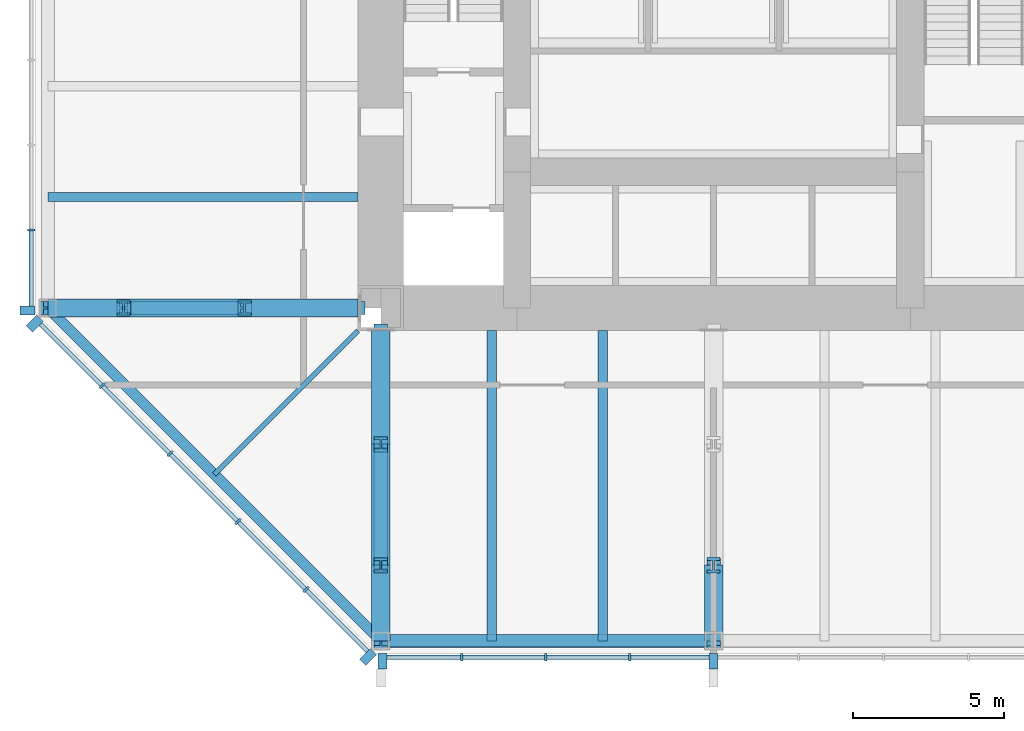
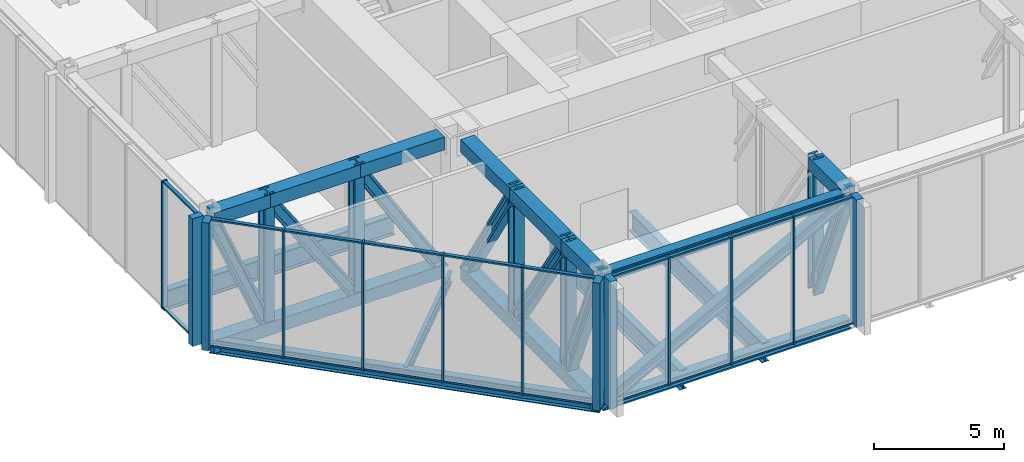
# One storey, part 2 of 11: 46 members, 16 beams, 3 elements without a shape of their own.
"""IFC4 building model written with IfcOpenShell, lengths in metres."""

from ifc_helpers import new_model, si_unit, direction, frame, origin, origin_2d, place, context, subcontext, project, spatial, rectangle, hollow_rectangle, i_section, extrude, material, material_profile, profile_set, type_object, element, aggregate, save


model = new_model("IFC4")

# Units and contexts
model_context = context("Model", 3, precision=1e-05, world=origin(), true_north=direction((0.0, 1.0)))
body_context = subcontext(model_context, "Body", "Model", "MODEL_VIEW")
ifc_project = project(units=[si_unit("LENGTHUNIT", "METRE"), si_unit("AREAUNIT", "SQUARE_METRE"), si_unit("VOLUMEUNIT", "CUBIC_METRE"), si_unit("PLANEANGLEUNIT", "RADIAN"), si_unit("MASSUNIT", "GRAM", prefix="KILO")], contexts=[model_context])

# Site, building, storey
site_placement = place(None, origin())
site = spatial("IfcSite", under=ifc_project, at=site_placement, CompositionType="ELEMENT")
building_placement = place(site_placement, origin())
building = spatial("IfcBuilding", under=site, at=building_placement, Name="Trevanion Tower", CompositionType="ELEMENT")
storey_placement = place(building_placement, frame((0.0, 0.0, 178.699951171875)))
storey = spatial("IfcBuildingStorey", under=building, at=storey_placement, Name="L42", CompositionType="ELEMENT", Elevation=178.699951171875)

# Beams
ifc_material_1 = material(Name="Steel ASTM A992 Grade 50", Category="steel")
ifc_material_profile_1 = material_profile(ifc_material_1, i_section(OverallWidth=0.1650390625, OverallDepth=0.52587890625, WebThickness=0.0087890625, FlangeThickness=0.011474609375, at=origin_2d()), Name="W21X44")
ifc_profile_set_1 = profile_set([ifc_material_profile_1], Name="Steel ASTM A992 Grade 50")
beam_type_1 = type_object("IfcBeamType", Name="B10 W21X44", PredefinedType="BEAM", material=ifc_profile_set_1)
beam_1_placement = place(storey_placement, frame((-11.75, -11.75, -0.452880859375), z_axis=(-0.707106781187, -0.707106781187, 0.0), x_axis=(0.707106781187, -0.707106781187, 0.0)))
element("IfcBeam", 1, at=beam_1_placement, inside=storey, type_object=beam_type_1, Name="B10 L42", PredefinedType="BEAM", context=body_context, shape_type="SweptSolid", body=[
    extrude(i_section(OverallWidth=0.1650390625, OverallDepth=0.52587890625, WebThickness=0.0087890625, FlangeThickness=0.011474609375, at=origin_2d()), origin(), (0.0, 0.0, 1.0), 6.717529296875),
])
ifc_material_2 = material(Name="Steel ASTM A992 Grade 50", Category="steel")
ifc_material_profile_2 = material_profile(ifc_material_2, i_section(OverallWidth=0.307373046875, OverallDepth=0.922119140625, WebThickness=0.018310546875, FlangeThickness=0.030029296875, at=origin_2d()), Name="W36X182")
ifc_profile_set_2 = profile_set([ifc_material_profile_2], Name="Steel ASTM A992 Grade 50")
beam_type_2 = type_object("IfcBeamType", Name="B9 W36X182", PredefinedType="BEAM", material=ifc_profile_set_2)
for number, where, z_axis, x_axis, name in (
    (2, (-11.75, -7.333251953125, -0.65087890625), (-1.0, 0.0, 0.0), (0.0, -1.0, 0.0), "B9 L42"),
    (3, (-7.333251953125, -11.75, -0.65087890625), (0.0, -1.0, 0.0), (1.0, 0.0, 0.0), "B9 L42"),
    (4, (-3.666748046875, -11.75, -0.65087890625), (0.0, -1.0, 0.0), (1.0, 0.0, 0.0), "B9 L42"),
):
    element("IfcBeam", number, at=place(storey_placement, frame(where, z_axis=z_axis, x_axis=x_axis)), inside=storey, type_object=beam_type_2, Name=name, PredefinedType="BEAM", context=body_context, shape_type="SweptSolid", body=[
        extrude(i_section(OverallWidth=0.307373046875, OverallDepth=0.922119140625, WebThickness=0.018310546875, FlangeThickness=0.030029296875, at=origin_2d()), origin(), (0.0, 0.0, 1.0), 10.25),
    ])
ifc_material_3 = material(Name="Steel ASTM A992 Grade 50", Category="steel")
ifc_material_profile_3 = material_profile(ifc_material_3, i_section(OverallWidth=0.421630859375, OverallDepth=0.46484375, WebThickness=0.044921875, FlangeThickness=0.072509765625, at=origin_2d()), Name="W14X398")
ifc_profile_set_3 = profile_set([ifc_material_profile_3], Name="Steel ASTM A992 Grade 50")
beam_type_3 = type_object("IfcBeamType", Name="BT2-CH W14X398", PredefinedType="BEAM", material=ifc_profile_set_3)
for number, where, z_axis, x_axis, name in (
    (5, (-11.0, -22.0, -0.494873046875), (1.0, 0.0, 0.0), (0.0, 1.0, 0.0), "BT2 belt truss chord"),
    (6, (-11.0, -22.0, 5.505126953125), (1.0, 0.0, 0.0), (0.0, 1.0, 0.0), "BT2 belt truss chord"),
):
    element("IfcBeam", number, at=place(storey_placement, frame(where, z_axis=z_axis, x_axis=x_axis)), inside=storey, type_object=beam_type_3, Name=name, PredefinedType="BEAM", context=body_context, shape_type="SweptSolid", body=[
        extrude(i_section(OverallWidth=0.421630859375, OverallDepth=0.46484375, WebThickness=0.044921875, FlangeThickness=0.072509765625, at=origin_2d()), origin(), (0.0, 0.0, 1.0), 11.0),
    ])

# Member
ifc_material_4 = material(Name="Steel ASTM A992 Grade 50", Category="steel")
ifc_material_profile_4 = material_profile(ifc_material_4, i_section(OverallWidth=0.431884765625, OverallDepth=0.497802734375, WebThickness=0.0556640625, FlangeThickness=0.0888671875, at=origin_2d()), Name="W14X500")
ifc_profile_set_4 = profile_set([ifc_material_profile_4], Name="Steel ASTM A992 Grade 50")
member_type_1 = type_object("IfcMemberType", Name="BT2-D W14X500", PredefinedType="BRACE", material=ifc_profile_set_4)
member_1_placement = place(storey_placement, frame((-11.0, -22.0, -0.494873046875), z_axis=(0.877895572914, 0.0, 0.478852130681), x_axis=(0.0, 1.0, 0.0)))
element("IfcMember", 7, at=member_1_placement, inside=storey, type_object=member_type_1, Name="BT2 belt truss diagonal", PredefinedType="BRACE", context=body_context, shape_type="SweptSolid", body=[
    extrude(i_section(OverallWidth=0.431884765625, OverallDepth=0.497802734375, WebThickness=0.0556640625, FlangeThickness=0.0888671875, at=origin_2d()), origin(), (0.0, 0.0, 1.0), 12.530029296875),
])

# Curtain wall, member
ifc_material_5 = material(Name="Aluminium louvres", Category="aluminium")
curtain_wall_type = type_object("IfcCurtainWallType", Name="CWL curtain wall", PredefinedType="USERDEFINED", material=ifc_material_5)
curtain_wall_1_placement = place(storey_placement, origin())
curtain_wall_1 = element("IfcCurtainWall", 8, at=curtain_wall_1_placement, inside=storey, type_object=curtain_wall_type, Name="CWL L42 4", ObjectType="LOUVRE SCREEN", PredefinedType="USERDEFINED")
ifc_material_6 = material(Name="Aluminium extrusion, anodised bronze", Category="aluminium")
ifc_material_profile_5 = material_profile(ifc_material_6, rectangle(XDim=0.074951171875, YDim=0.25, at=origin_2d()), Name="CWL mullion")
ifc_profile_set_5 = profile_set([ifc_material_profile_5], Name="Aluminium extrusion, anodised bronze")
member_type_2 = type_object("IfcMemberType", Name="CWL mullion", PredefinedType="MULLION", material=ifc_profile_set_5)
member_2_placement = place(storey_placement, frame((-22.550048828125, -8.4208984375, -0.18994140625), z_axis=(0.0, 0.0, 1.0), x_axis=(0.0, -1.0, 0.0)))
member_2 = element("IfcMember", 9, at=member_2_placement, type_object=member_type_2, Name="CWL mullion 8", PredefinedType="MULLION", context=body_context, shape_type="SweptSolid", body=[
    extrude(rectangle(XDim=0.074951171875, YDim=0.25, at=origin_2d()), origin(), (0.0, 0.0, 1.0), 6.0),
])

# Curtain wall, members
curtain_wall_2_placement = place(storey_placement, origin())
curtain_wall_2 = element("IfcCurtainWall", 10, at=curtain_wall_2_placement, inside=storey, type_object=curtain_wall_type, Name="CWL L42 5", ObjectType="LOUVRE SCREEN", PredefinedType="USERDEFINED")
member_3_placement = place(storey_placement, frame((-20.2119140625, -13.56591796875, -0.18994140625), z_axis=(0.0, 0.0, 1.0), x_axis=(0.707106781187, -0.707106781187, 0.0)))
member_3 = element("IfcMember", 11, at=member_3_placement, type_object=member_type_2, Name="CWL mullion 2", PredefinedType="MULLION", context=body_context, shape_type="SweptSolid", body=[
    extrude(rectangle(XDim=0.074951171875, YDim=0.25, at=origin_2d()), origin(), (0.0, 0.0, 1.0), 6.0),
])
member_4_placement = place(storey_placement, frame((-17.966064453125, -15.811767578125, -0.18994140625), z_axis=(0.0, 0.0, 1.0), x_axis=(0.707106781187, -0.707106781187, 0.0)))
member_4 = element("IfcMember", 12, at=member_4_placement, type_object=member_type_2, Name="CWL mullion 3", PredefinedType="MULLION", context=body_context, shape_type="SweptSolid", body=[
    extrude(rectangle(XDim=0.074951171875, YDim=0.25, at=origin_2d()), origin(), (0.0, 0.0, 1.0), 6.0),
])
member_5_placement = place(storey_placement, frame((-15.719970703125, -18.057861328125, -0.18994140625), z_axis=(0.0, 0.0, 1.0), x_axis=(0.707106781187, -0.707106781187, 0.0)))
member_5 = element("IfcMember", 13, at=member_5_placement, type_object=member_type_2, Name="CWL mullion 4", PredefinedType="MULLION", context=body_context, shape_type="SweptSolid", body=[
    extrude(rectangle(XDim=0.074951171875, YDim=0.25, at=origin_2d()), origin(), (0.0, 0.0, 1.0), 6.0),
])
member_6_placement = place(storey_placement, frame((-13.473876953125, -20.303955078125, -0.18994140625), z_axis=(0.0, 0.0, 1.0), x_axis=(0.707106781187, -0.707106781187, 0.0)))
member_6 = element("IfcMember", 14, at=member_6_placement, type_object=member_type_2, Name="CWL mullion 5", PredefinedType="MULLION", context=body_context, shape_type="SweptSolid", body=[
    extrude(rectangle(XDim=0.074951171875, YDim=0.25, at=origin_2d()), origin(), (0.0, 0.0, 1.0), 6.0),
])

curtain_wall_3_placement = place(storey_placement, origin())
curtain_wall_3 = element("IfcCurtainWall", 15, at=curtain_wall_3_placement, inside=storey, type_object=curtain_wall_type, Name="CWL L42 6", ObjectType="LOUVRE SCREEN", PredefinedType="USERDEFINED")
member_7_placement = place(storey_placement, frame((-8.323486328125, -22.550048828125, -0.18994140625), z_axis=(0.0, 0.0, 1.0), x_axis=(1.0, 0.0, 0.0)))
member_7 = element("IfcMember", 16, at=member_7_placement, type_object=member_type_2, Name="CWL mullion 2", PredefinedType="MULLION", context=body_context, shape_type="SweptSolid", body=[
    extrude(rectangle(XDim=0.074951171875, YDim=0.25, at=origin_2d()), origin(), (0.0, 0.0, 1.0), 6.0),
])
member_8_placement = place(storey_placement, frame((-5.548828125, -22.550048828125, -0.18994140625), z_axis=(0.0, 0.0, 1.0), x_axis=(1.0, 0.0, 0.0)))
member_8 = element("IfcMember", 17, at=member_8_placement, type_object=member_type_2, Name="CWL mullion 3", PredefinedType="MULLION", context=body_context, shape_type="SweptSolid", body=[
    extrude(rectangle(XDim=0.074951171875, YDim=0.25, at=origin_2d()), origin(), (0.0, 0.0, 1.0), 6.0),
])
member_9_placement = place(storey_placement, frame((-2.7744140625, -22.550048828125, -0.18994140625), z_axis=(0.0, 0.0, 1.0), x_axis=(1.0, 0.0, 0.0)))
member_9 = element("IfcMember", 18, at=member_9_placement, type_object=member_type_2, Name="CWL mullion 4", PredefinedType="MULLION", context=body_context, shape_type="SweptSolid", body=[
    extrude(rectangle(XDim=0.074951171875, YDim=0.25, at=origin_2d()), origin(), (0.0, 0.0, 1.0), 6.0),
])

# Member
ifc_material_7 = material(Name="Aluminium extrusion, anodised bronze", Category="aluminium")
ifc_material_profile_6 = material_profile(ifc_material_7, rectangle(XDim=0.300048828125, YDim=0.5, at=origin_2d()), Name="CWL pier mullion")
ifc_profile_set_6 = profile_set([ifc_material_profile_6], Name="Aluminium extrusion, anodised bronze")
member_type_3 = type_object("IfcMemberType", Name="CWL pier mullion", PredefinedType="MULLION", material=ifc_profile_set_6)
member_10_placement = place(storey_placement, frame((-22.675048828125, -11.077880859375, -0.18994140625), z_axis=(0.0, 0.0, 1.0), x_axis=(0.0, -1.0, 0.0)))
member_10 = element("IfcMember", 19, at=member_10_placement, type_object=member_type_3, Name="CWL pier mullion 9", PredefinedType="MULLION", context=body_context, shape_type="SweptSolid", body=[
    extrude(rectangle(XDim=0.300048828125, YDim=0.5, at=origin_2d()), origin(), (0.0, 0.0, 1.0), 6.0),
])

member_11_placement = place(storey_placement, frame((-22.4404296875, -11.51416015625, -0.18994140625), z_axis=(0.0, 0.0, 1.0), x_axis=(0.707106781187, -0.707106781187, 0.0)))
member_11 = element("IfcMember", 20, at=member_11_placement, type_object=member_type_3, Name="CWL pier mullion 1", PredefinedType="MULLION", context=body_context, shape_type="SweptSolid", body=[
    extrude(rectangle(XDim=0.300048828125, YDim=0.5, at=origin_2d()), origin(), (0.0, 0.0, 1.0), 6.0),
])

member_12_placement = place(storey_placement, frame((-11.42236328125, -22.5322265625, -0.18994140625), z_axis=(0.0, 0.0, 1.0), x_axis=(0.707106781187, -0.707106781187, 0.0)))
member_12 = element("IfcMember", 21, at=member_12_placement, type_object=member_type_3, Name="CWL pier mullion 6", PredefinedType="MULLION", context=body_context, shape_type="SweptSolid", body=[
    extrude(rectangle(XDim=0.300048828125, YDim=0.5, at=origin_2d()), origin(), (0.0, 0.0, 1.0), 6.0),
])

member_13_placement = place(storey_placement, frame((-10.94775390625, -22.675048828125, -0.18994140625), z_axis=(0.0, 0.0, 1.0), x_axis=(1.0, 0.0, 0.0)))
member_13 = element("IfcMember", 22, at=member_13_placement, type_object=member_type_3, Name="CWL pier mullion 1", PredefinedType="MULLION", context=body_context, shape_type="SweptSolid", body=[
    extrude(rectangle(XDim=0.300048828125, YDim=0.5, at=origin_2d()), origin(), (0.0, 0.0, 1.0), 6.0),
])

member_14_placement = place(storey_placement, frame((0.0, -22.675048828125, -0.18994140625), z_axis=(0.0, 0.0, 1.0), x_axis=(1.0, 0.0, 0.0)))
member_14 = element("IfcMember", 23, at=member_14_placement, type_object=member_type_3, Name="CWL pier mullion 5", PredefinedType="MULLION", context=body_context, shape_type="SweptSolid", body=[
    extrude(rectangle(XDim=0.300048828125, YDim=0.5, at=origin_2d()), origin(), (0.0, 0.0, 1.0), 6.0),
])

ifc_material_8 = material(Name="Aluminium extrusion, anodised bronze", Category="aluminium")
ifc_material_profile_7 = material_profile(ifc_material_8, rectangle(XDim=0.14990234375, YDim=0.074951171875, at=origin_2d()), Name="CWL transom")
ifc_profile_set_7 = profile_set([ifc_material_profile_7], Name="Aluminium extrusion, anodised bronze")
member_type_4 = type_object("IfcMemberType", Name="CWL transom", PredefinedType="USERDEFINED", material=ifc_profile_set_7)
member_15_placement = place(storey_placement, frame((-22.550048828125, -8.45849609375, -0.15234375), z_axis=(0.0, -1.0, 0.0), x_axis=(1.0, 0.0, 0.0)))
member_15 = element("IfcMember", 24, at=member_15_placement, type_object=member_type_4, Name="CWL transom 8.1", ObjectType="TRANSOM", PredefinedType="USERDEFINED", context=body_context, shape_type="SweptSolid", body=[
    extrude(rectangle(XDim=0.14990234375, YDim=0.074951171875, at=origin_2d()), origin(), (0.0, 0.0, 1.0), 2.46923828125),
])

member_16_placement = place(storey_placement, frame((-22.550048828125, -8.45849609375, 5.7724609375), z_axis=(0.0, -1.0, 0.0), x_axis=(1.0, 0.0, 0.0)))
member_16 = element("IfcMember", 25, at=member_16_placement, type_object=member_type_4, Name="CWL transom 8.2", ObjectType="TRANSOM", PredefinedType="USERDEFINED", context=body_context, shape_type="SweptSolid", body=[
    extrude(rectangle(XDim=0.14990234375, YDim=0.074951171875, at=origin_2d()), origin(), (0.0, 0.0, 1.0), 2.46923828125),
])

aggregate(curtain_wall_1, [member_2, member_10, member_15, member_16])

member_17_placement = place(storey_placement, frame((-22.245849609375, -11.531982421875, -0.15234375), z_axis=(0.707106781187, -0.707106781187, 0.0), x_axis=(0.707106781187, 0.707106781187, 0.0)))
member_17 = element("IfcMember", 26, at=member_17_placement, type_object=member_type_4, Name="CWL transom 1.1", ObjectType="TRANSOM", PredefinedType="USERDEFINED", context=body_context, shape_type="SweptSolid", body=[
    extrude(rectangle(XDim=0.14990234375, YDim=0.074951171875, at=origin_2d()), origin(), (0.0, 0.0, 1.0), 2.8388671875),
])

member_18_placement = place(storey_placement, frame((-22.245849609375, -11.531982421875, 5.7724609375), z_axis=(0.707106781187, -0.707106781187, 0.0), x_axis=(0.707106781187, 0.707106781187, 0.0)))
member_18 = element("IfcMember", 27, at=member_18_placement, type_object=member_type_4, Name="CWL transom 1.2", ObjectType="TRANSOM", PredefinedType="USERDEFINED", context=body_context, shape_type="SweptSolid", body=[
    extrude(rectangle(XDim=0.14990234375, YDim=0.074951171875, at=origin_2d()), origin(), (0.0, 0.0, 1.0), 2.8388671875),
])

member_19_placement = place(storey_placement, frame((-20.185546875, -13.59228515625, -0.15234375), z_axis=(0.707106781187, -0.707106781187, 0.0), x_axis=(0.707106781187, 0.707106781187, 0.0)))
member_19 = element("IfcMember", 28, at=member_19_placement, type_object=member_type_4, Name="CWL transom 2.1", ObjectType="TRANSOM", PredefinedType="USERDEFINED", context=body_context, shape_type="SweptSolid", body=[
    extrude(rectangle(XDim=0.14990234375, YDim=0.074951171875, at=origin_2d()), origin(), (0.0, 0.0, 1.0), 3.1015625),
])

member_20_placement = place(storey_placement, frame((-20.185546875, -13.59228515625, 5.7724609375), z_axis=(0.707106781187, -0.707106781187, 0.0), x_axis=(0.707106781187, 0.707106781187, 0.0)))
member_20 = element("IfcMember", 29, at=member_20_placement, type_object=member_type_4, Name="CWL transom 2.2", ObjectType="TRANSOM", PredefinedType="USERDEFINED", context=body_context, shape_type="SweptSolid", body=[
    extrude(rectangle(XDim=0.14990234375, YDim=0.074951171875, at=origin_2d()), origin(), (0.0, 0.0, 1.0), 3.1015625),
])

member_21_placement = place(storey_placement, frame((-17.939453125, -15.83837890625, -0.15234375), z_axis=(0.707106781187, -0.707106781187, 0.0), x_axis=(0.707106781187, 0.707106781187, 0.0)))
member_21 = element("IfcMember", 30, at=member_21_placement, type_object=member_type_4, Name="CWL transom 3.1", ObjectType="TRANSOM", PredefinedType="USERDEFINED", context=body_context, shape_type="SweptSolid", body=[
    extrude(rectangle(XDim=0.14990234375, YDim=0.074951171875, at=origin_2d()), origin(), (0.0, 0.0, 1.0), 3.1015625),
])

member_22_placement = place(storey_placement, frame((-17.939453125, -15.83837890625, 5.7724609375), z_axis=(0.707106781187, -0.707106781187, 0.0), x_axis=(0.707106781187, 0.707106781187, 0.0)))
member_22 = element("IfcMember", 31, at=member_22_placement, type_object=member_type_4, Name="CWL transom 3.2", ObjectType="TRANSOM", PredefinedType="USERDEFINED", context=body_context, shape_type="SweptSolid", body=[
    extrude(rectangle(XDim=0.14990234375, YDim=0.074951171875, at=origin_2d()), origin(), (0.0, 0.0, 1.0), 3.1015625),
])

member_23_placement = place(storey_placement, frame((-15.693359375, -18.08447265625, -0.15234375), z_axis=(0.707106781187, -0.707106781187, 0.0), x_axis=(0.707106781187, 0.707106781187, 0.0)))
member_23 = element("IfcMember", 32, at=member_23_placement, type_object=member_type_4, Name="CWL transom 4.1", ObjectType="TRANSOM", PredefinedType="USERDEFINED", context=body_context, shape_type="SweptSolid", body=[
    extrude(rectangle(XDim=0.14990234375, YDim=0.074951171875, at=origin_2d()), origin(), (0.0, 0.0, 1.0), 3.10107421875),
])

member_24_placement = place(storey_placement, frame((-15.693359375, -18.08447265625, 5.7724609375), z_axis=(0.707106781187, -0.707106781187, 0.0), x_axis=(0.707106781187, 0.707106781187, 0.0)))
member_24 = element("IfcMember", 33, at=member_24_placement, type_object=member_type_4, Name="CWL transom 4.2", ObjectType="TRANSOM", PredefinedType="USERDEFINED", context=body_context, shape_type="SweptSolid", body=[
    extrude(rectangle(XDim=0.14990234375, YDim=0.074951171875, at=origin_2d()), origin(), (0.0, 0.0, 1.0), 3.10107421875),
])

member_25_placement = place(storey_placement, frame((-13.447509765625, -20.33056640625, -0.15234375), z_axis=(0.707149778163, -0.707063781595, 0.0), x_axis=(0.707063781595, 0.707149778163, 0.0)))
member_25 = element("IfcMember", 34, at=member_25_placement, type_object=member_type_4, Name="CWL transom 5.1", ObjectType="TRANSOM", PredefinedType="USERDEFINED", context=body_context, shape_type="SweptSolid", body=[
    extrude(rectangle(XDim=0.14990234375, YDim=0.074951171875, at=origin_2d()), origin(), (0.0, 0.0, 1.0), 2.8388671875),
])

member_26_placement = place(storey_placement, frame((-13.447509765625, -20.33056640625, 5.7724609375), z_axis=(0.707149778163, -0.707063781595, 0.0), x_axis=(0.707063781595, 0.707149778163, 0.0)))
member_26 = element("IfcMember", 35, at=member_26_placement, type_object=member_type_4, Name="CWL transom 5.2", ObjectType="TRANSOM", PredefinedType="USERDEFINED", context=body_context, shape_type="SweptSolid", body=[
    extrude(rectangle(XDim=0.14990234375, YDim=0.074951171875, at=origin_2d()), origin(), (0.0, 0.0, 1.0), 2.8388671875),
])

aggregate(curtain_wall_2, [member_11, member_3, member_4, member_5, member_6, member_12, member_17, member_18, member_19, member_20, member_21, member_22, member_23, member_24, member_25, member_26])

member_27_placement = place(storey_placement, frame((-10.7978515625, -22.550048828125, -0.15234375), z_axis=(1.0, 0.0, 0.0), x_axis=(0.0, 1.0, 0.0)))
member_27 = element("IfcMember", 36, at=member_27_placement, type_object=member_type_4, Name="CWL transom 1.1", ObjectType="TRANSOM", PredefinedType="USERDEFINED", context=body_context, shape_type="SweptSolid", body=[
    extrude(rectangle(XDim=0.14990234375, YDim=0.074951171875, at=origin_2d()), origin(), (0.0, 0.0, 1.0), 2.43701171875),
])

member_28_placement = place(storey_placement, frame((-10.7978515625, -22.550048828125, 5.7724609375), z_axis=(1.0, 0.0, 0.0), x_axis=(0.0, 1.0, 0.0)))
member_28 = element("IfcMember", 37, at=member_28_placement, type_object=member_type_4, Name="CWL transom 1.2", ObjectType="TRANSOM", PredefinedType="USERDEFINED", context=body_context, shape_type="SweptSolid", body=[
    extrude(rectangle(XDim=0.14990234375, YDim=0.074951171875, at=origin_2d()), origin(), (0.0, 0.0, 1.0), 2.43701171875),
])

member_29_placement = place(storey_placement, frame((-8.285888671875, -22.550048828125, -0.15234375), z_axis=(1.0, 0.0, 0.0), x_axis=(0.0, 1.0, 0.0)))
member_29 = element("IfcMember", 38, at=member_29_placement, type_object=member_type_4, Name="CWL transom 2.1", ObjectType="TRANSOM", PredefinedType="USERDEFINED", context=body_context, shape_type="SweptSolid", body=[
    extrude(rectangle(XDim=0.14990234375, YDim=0.074951171875, at=origin_2d()), origin(), (0.0, 0.0, 1.0), 2.699462890625),
])

member_30_placement = place(storey_placement, frame((-8.285888671875, -22.550048828125, 5.7724609375), z_axis=(1.0, 0.0, 0.0), x_axis=(0.0, 1.0, 0.0)))
member_30 = element("IfcMember", 39, at=member_30_placement, type_object=member_type_4, Name="CWL transom 2.2", ObjectType="TRANSOM", PredefinedType="USERDEFINED", context=body_context, shape_type="SweptSolid", body=[
    extrude(rectangle(XDim=0.14990234375, YDim=0.074951171875, at=origin_2d()), origin(), (0.0, 0.0, 1.0), 2.699462890625),
])

member_31_placement = place(storey_placement, frame((-5.511474609375, -22.550048828125, -0.15234375), z_axis=(1.0, 0.0, 0.0), x_axis=(0.0, 1.0, 0.0)))
member_31 = element("IfcMember", 40, at=member_31_placement, type_object=member_type_4, Name="CWL transom 3.1", ObjectType="TRANSOM", PredefinedType="USERDEFINED", context=body_context, shape_type="SweptSolid", body=[
    extrude(rectangle(XDim=0.14990234375, YDim=0.074951171875, at=origin_2d()), origin(), (0.0, 0.0, 1.0), 2.699462890625),
])

member_32_placement = place(storey_placement, frame((-5.511474609375, -22.550048828125, 5.7724609375), z_axis=(1.0, 0.0, 0.0), x_axis=(0.0, 1.0, 0.0)))
member_32 = element("IfcMember", 41, at=member_32_placement, type_object=member_type_4, Name="CWL transom 3.2", ObjectType="TRANSOM", PredefinedType="USERDEFINED", context=body_context, shape_type="SweptSolid", body=[
    extrude(rectangle(XDim=0.14990234375, YDim=0.074951171875, at=origin_2d()), origin(), (0.0, 0.0, 1.0), 2.699462890625),
])

member_33_placement = place(storey_placement, frame((-2.737060546875, -22.550048828125, -0.15234375), z_axis=(1.0, 0.0, 0.0), x_axis=(0.0, 1.0, 0.0)))
member_33 = element("IfcMember", 42, at=member_33_placement, type_object=member_type_4, Name="CWL transom 4.1", ObjectType="TRANSOM", PredefinedType="USERDEFINED", context=body_context, shape_type="SweptSolid", body=[
    extrude(rectangle(XDim=0.14990234375, YDim=0.074951171875, at=origin_2d()), origin(), (0.0, 0.0, 1.0), 2.587158203125),
])

member_34_placement = place(storey_placement, frame((-2.737060546875, -22.550048828125, 5.7724609375), z_axis=(1.0, 0.0, 0.0), x_axis=(0.0, 1.0, 0.0)))
member_34 = element("IfcMember", 43, at=member_34_placement, type_object=member_type_4, Name="CWL transom 4.2", ObjectType="TRANSOM", PredefinedType="USERDEFINED", context=body_context, shape_type="SweptSolid", body=[
    extrude(rectangle(XDim=0.14990234375, YDim=0.074951171875, at=origin_2d()), origin(), (0.0, 0.0, 1.0), 2.587158203125),
])

aggregate(curtain_wall_3, [member_13, member_7, member_8, member_9, member_14, member_27, member_28, member_29, member_30, member_31, member_32, member_33, member_34])

# Beams
ifc_material_9 = material(Name="Steel ASTM A588 Grade 50", Category="steel")
ifc_material_profile_8 = material_profile(ifc_material_9, hollow_rectangle(XDim=0.609619140625, YDim=0.609619140625, WallThickness=0.203125, at=origin_2d()), Name="BOX24X24X8")
ifc_profile_set_8 = profile_set([ifc_material_profile_8], Name="Steel ASTM A588 Grade 50")
beam_type_4 = type_object("IfcBeamType", Name="OT2-CH BOX24X24X8", PredefinedType="BEAM", material=ifc_profile_set_8)
beam_2_placement = place(storey_placement, frame((-11.0, -11.75, -0.494873046875), z_axis=(0.0, -1.0, 0.0), x_axis=(1.0, 0.0, 0.0)))
element("IfcBeam", 44, at=beam_2_placement, inside=storey, type_object=beam_type_4, Name="OT2 8/B outrigger and transfer truss chord", PredefinedType="BEAM", context=body_context, shape_type="SweptSolid", body=[
    extrude(hollow_rectangle(XDim=0.609619140625, YDim=0.609619140625, WallThickness=0.203125, at=origin_2d()), origin(), (0.0, 0.0, 1.0), 10.25),
])
beam_3_placement = place(storey_placement, frame((-11.0, -11.75, 5.505126953125), z_axis=(0.0, -1.0, 0.0), x_axis=(1.0, 0.0, 0.0)))
element("IfcBeam", 45, at=beam_3_placement, inside=storey, type_object=beam_type_4, Name="OT2 8/B outrigger and transfer truss chord", PredefinedType="BEAM", context=body_context, shape_type="SweptSolid", body=[
    extrude(hollow_rectangle(XDim=0.609619140625, YDim=0.609619140625, WallThickness=0.203125, at=origin_2d()), origin(), (0.0, 0.0, 1.0), 3.75),
])
beam_4_placement = place(storey_placement, frame((-11.0, -15.5, 5.505126953125), z_axis=(0.0, -1.0, 0.0), x_axis=(1.0, 0.0, 0.0)))
element("IfcBeam", 46, at=beam_4_placement, inside=storey, type_object=beam_type_4, Name="OT2 8/B outrigger and transfer truss chord", PredefinedType="BEAM", context=body_context, shape_type="SweptSolid", body=[
    extrude(hollow_rectangle(XDim=0.609619140625, YDim=0.609619140625, WallThickness=0.203125, at=origin_2d()), origin(), (0.0, 0.0, 1.0), 4.0),
])
for number, where, z_axis, x_axis, name in (
    (47, (-11.0, -19.5, 5.505126953125), (0.0, -1.0, 0.0), (1.0, 0.0, 0.0), "OT2 8/B outrigger and transfer truss chord"),
    (48, (0.0, -19.5, 5.505126953125), (0.0, -1.0, 0.0), (1.0, 0.0, 0.0), "OT2 10/B outrigger and transfer truss chord"),
):
    element("IfcBeam", number, at=place(storey_placement, frame(where, z_axis=z_axis, x_axis=x_axis)), inside=storey, type_object=beam_type_4, Name=name, PredefinedType="BEAM", context=body_context, shape_type="SweptSolid", body=[
        extrude(hollow_rectangle(XDim=0.609619140625, YDim=0.609619140625, WallThickness=0.203125, at=origin_2d()), origin(), (0.0, 0.0, 1.0), 2.5),
    ])
beam_5_placement = place(storey_placement, frame((-11.75, -11.0, -0.494873046875), z_axis=(-1.0, 0.0, 0.0), x_axis=(0.0, -1.0, 0.0)))
element("IfcBeam", 49, at=beam_5_placement, inside=storey, type_object=beam_type_4, Name="OT2 4/F outrigger and transfer truss chord", PredefinedType="BEAM", context=body_context, shape_type="SweptSolid", body=[
    extrude(hollow_rectangle(XDim=0.609619140625, YDim=0.609619140625, WallThickness=0.203125, at=origin_2d()), origin(), (0.0, 0.0, 1.0), 10.25),
])
beam_6_placement = place(storey_placement, frame((-11.75, -11.0, 5.505126953125), z_axis=(-1.0, 0.0, 0.0), x_axis=(0.0, -1.0, 0.0)))
element("IfcBeam", 50, at=beam_6_placement, inside=storey, type_object=beam_type_4, Name="OT2 4/F outrigger and transfer truss chord", PredefinedType="BEAM", context=body_context, shape_type="SweptSolid", body=[
    extrude(hollow_rectangle(XDim=0.609619140625, YDim=0.609619140625, WallThickness=0.203125, at=origin_2d()), origin(), (0.0, 0.0, 1.0), 3.75),
])
beam_7_placement = place(storey_placement, frame((-15.5, -11.0, 5.505126953125), z_axis=(-1.0, 0.0, 0.0), x_axis=(0.0, -1.0, 0.0)))
element("IfcBeam", 51, at=beam_7_placement, inside=storey, type_object=beam_type_4, Name="OT2 4/F outrigger and transfer truss chord", PredefinedType="BEAM", context=body_context, shape_type="SweptSolid", body=[
    extrude(hollow_rectangle(XDim=0.609619140625, YDim=0.609619140625, WallThickness=0.203125, at=origin_2d()), origin(), (0.0, 0.0, 1.0), 4.0),
])
beam_8_placement = place(storey_placement, frame((-19.5, -11.0, 5.505126953125), z_axis=(-1.0, 0.0, 0.0), x_axis=(0.0, -1.0, 0.0)))
element("IfcBeam", 52, at=beam_8_placement, inside=storey, type_object=beam_type_4, Name="OT2 4/F outrigger and transfer truss chord", PredefinedType="BEAM", context=body_context, shape_type="SweptSolid", body=[
    extrude(hollow_rectangle(XDim=0.609619140625, YDim=0.609619140625, WallThickness=0.203125, at=origin_2d()), origin(), (0.0, 0.0, 1.0), 2.5),
])

# Members
ifc_material_10 = material(Name="Steel ASTM A992 Grade 50", Category="steel")
ifc_material_profile_9 = material_profile(ifc_material_10, i_section(OverallWidth=0.44189453125, OverallDepth=0.53076171875, WebThickness=0.06591796875, FlangeThickness=0.105712890625, at=origin_2d()), Name="W14X605")
ifc_profile_set_9 = profile_set([ifc_material_profile_9], Name="Steel ASTM A992 Grade 50")
member_type_5 = type_object("IfcMemberType", Name="OT2-D W14X605", PredefinedType="BRACE", material=ifc_profile_set_9)
member_35_placement = place(storey_placement, frame((-11.0, -11.75, -0.494873046875), z_axis=(0.0, -0.529998940003, 0.847998304005), x_axis=(1.0, 0.0, 0.0)))
element("IfcMember", 53, at=member_35_placement, inside=storey, type_object=member_type_5, Name="OT2 8/B outrigger and transfer truss diagonal", PredefinedType="BRACE", context=body_context, shape_type="SweptSolid", body=[
    extrude(i_section(OverallWidth=0.44189453125, OverallDepth=0.53076171875, WebThickness=0.06591796875, FlangeThickness=0.105712890625, at=origin_2d()), origin(), (0.0, 0.0, 1.0), 7.075439453125),
])
member_36_placement = place(storey_placement, frame((-11.0, -15.5, -0.494873046875), z_axis=(0.0, -0.554700196225, 0.832050294338), x_axis=(1.0, 0.0, 0.0)))
element("IfcMember", 54, at=member_36_placement, inside=storey, type_object=member_type_5, Name="OT2 8/B outrigger and transfer truss diagonal", PredefinedType="BRACE", context=body_context, shape_type="SweptSolid", body=[
    extrude(i_section(OverallWidth=0.44189453125, OverallDepth=0.53076171875, WebThickness=0.06591796875, FlangeThickness=0.105712890625, at=origin_2d()), origin(), (0.0, 0.0, 1.0), 7.211181640625),
])
for number, where, z_axis, x_axis, name in (
    (55, (-11.0, -19.5, -0.494873046875), (0.0, -0.384615384615, 0.923076923077), (1.0, 0.0, 0.0), "OT2 8/B outrigger and transfer truss diagonal"),
    (56, (0.0, -19.5, -0.494873046875), (0.0, -0.384615384615, 0.923076923077), (1.0, 0.0, 0.0), "OT2 10/B outrigger and transfer truss diagonal"),
):
    element("IfcMember", number, at=place(storey_placement, frame(where, z_axis=z_axis, x_axis=x_axis)), inside=storey, type_object=member_type_5, Name=name, PredefinedType="BRACE", context=body_context, shape_type="SweptSolid", body=[
        extrude(i_section(OverallWidth=0.44189453125, OverallDepth=0.53076171875, WebThickness=0.06591796875, FlangeThickness=0.105712890625, at=origin_2d()), origin(), (0.0, 0.0, 1.0), 6.5),
    ])
member_37_placement = place(storey_placement, frame((-11.75, -11.0, -0.494873046875), z_axis=(-0.529998940003, 0.0, 0.847998304005), x_axis=(0.0, -1.0, 0.0)))
element("IfcMember", 57, at=member_37_placement, inside=storey, type_object=member_type_5, Name="OT2 4/F outrigger and transfer truss diagonal", PredefinedType="BRACE", context=body_context, shape_type="SweptSolid", body=[
    extrude(i_section(OverallWidth=0.44189453125, OverallDepth=0.53076171875, WebThickness=0.06591796875, FlangeThickness=0.105712890625, at=origin_2d()), origin(), (0.0, 0.0, 1.0), 7.075439453125),
])
member_38_placement = place(storey_placement, frame((-15.5, -11.0, -0.494873046875), z_axis=(-0.554700196225, 0.0, 0.832050294338), x_axis=(0.0, -1.0, 0.0)))
element("IfcMember", 58, at=member_38_placement, inside=storey, type_object=member_type_5, Name="OT2 4/F outrigger and transfer truss diagonal", PredefinedType="BRACE", context=body_context, shape_type="SweptSolid", body=[
    extrude(i_section(OverallWidth=0.44189453125, OverallDepth=0.53076171875, WebThickness=0.06591796875, FlangeThickness=0.105712890625, at=origin_2d()), origin(), (0.0, 0.0, 1.0), 7.211181640625),
])
member_39_placement = place(storey_placement, frame((-19.5, -11.0, -0.494873046875), z_axis=(-0.384615384615, 0.0, 0.923076923077), x_axis=(0.0, -1.0, 0.0)))
element("IfcMember", 59, at=member_39_placement, inside=storey, type_object=member_type_5, Name="OT2 4/F outrigger and transfer truss diagonal", PredefinedType="BRACE", context=body_context, shape_type="SweptSolid", body=[
    extrude(i_section(OverallWidth=0.44189453125, OverallDepth=0.53076171875, WebThickness=0.06591796875, FlangeThickness=0.105712890625, at=origin_2d()), origin(), (0.0, 0.0, 1.0), 6.5),
])
ifc_material_11 = material(Name="Steel ASTM A992 Grade 50", Category="steel")
ifc_material_profile_10 = material_profile(ifc_material_11, i_section(OverallWidth=0.436767578125, OverallDepth=0.51318359375, WebThickness=0.060546875, FlangeThickness=0.096923828125, at=origin_2d()), Name="W14X550")
ifc_profile_set_10 = profile_set([ifc_material_profile_10], Name="Steel ASTM A992 Grade 50")
member_type_6 = type_object("IfcMemberType", Name="OT2-V W14X550", PredefinedType="POST", material=ifc_profile_set_10)
for number, where, z_axis, x_axis, name in (
    (60, (-11.0, -15.5, -0.494873046875), (0.0, 0.0, 1.0), (1.0, 0.0, 0.0), "OT2 8/B outrigger and transfer truss vertical"),
    (61, (-11.0, -19.5, -0.494873046875), (0.0, 0.0, 1.0), (1.0, 0.0, 0.0), "OT2 8/B outrigger and transfer truss vertical"),
    (62, (0.0, -19.5, -0.494873046875), (0.0, 0.0, 1.0), (1.0, 0.0, 0.0), "OT2 10/B outrigger and transfer truss vertical"),
    (63, (-15.5, -11.0, -0.494873046875), (0.0, 0.0, 1.0), (1.0, 0.0, 0.0), "OT2 4/F outrigger and transfer truss vertical"),
    (64, (-19.5, -11.0, -0.494873046875), (0.0, 0.0, 1.0), (1.0, 0.0, 0.0), "OT2 4/F outrigger and transfer truss vertical"),
):
    element("IfcMember", number, at=place(storey_placement, frame(where, z_axis=z_axis, x_axis=x_axis)), inside=storey, type_object=member_type_6, Name=name, PredefinedType="POST", context=body_context, shape_type="SweptSolid", body=[
        extrude(i_section(OverallWidth=0.436767578125, OverallDepth=0.51318359375, WebThickness=0.060546875, FlangeThickness=0.096923828125, at=origin_2d()), origin(), (0.0, 0.0, 1.0), 6.304931640625),
    ])

# Beam
ifc_material_12 = material(Name="Steel ASTM A992 Grade 50", Category="steel")
ifc_material_profile_11 = material_profile(ifc_material_12, i_section(OverallWidth=0.330078125, OverallDepth=0.647705078125, WebThickness=0.0205078125, FlangeThickness=0.037109375, at=origin_2d()), Name="W24X192")
ifc_profile_set_11 = profile_set([ifc_material_profile_11], Name="Steel ASTM A992 Grade 50")
beam_type_5 = type_object("IfcBeamType", Name="SB7 W24X192", PredefinedType="SPANDREL", material=ifc_profile_set_11)
beam_9_placement = place(storey_placement, frame((-22.0, -11.0, -0.513916015625), z_axis=(0.707106781187, -0.707106781187, 0.0), x_axis=(0.707106781187, 0.707106781187, 0.0)))
element("IfcBeam", 65, at=beam_9_placement, inside=storey, type_object=beam_type_5, Name="SB7 L42", PredefinedType="SPANDREL", context=body_context, shape_type="SweptSolid", body=[
    extrude(i_section(OverallWidth=0.330078125, OverallDepth=0.647705078125, WebThickness=0.0205078125, FlangeThickness=0.037109375, at=origin_2d()), origin(), (0.0, 0.0, 1.0), 15.556396484375),
])

save(model, "model.ifc")
